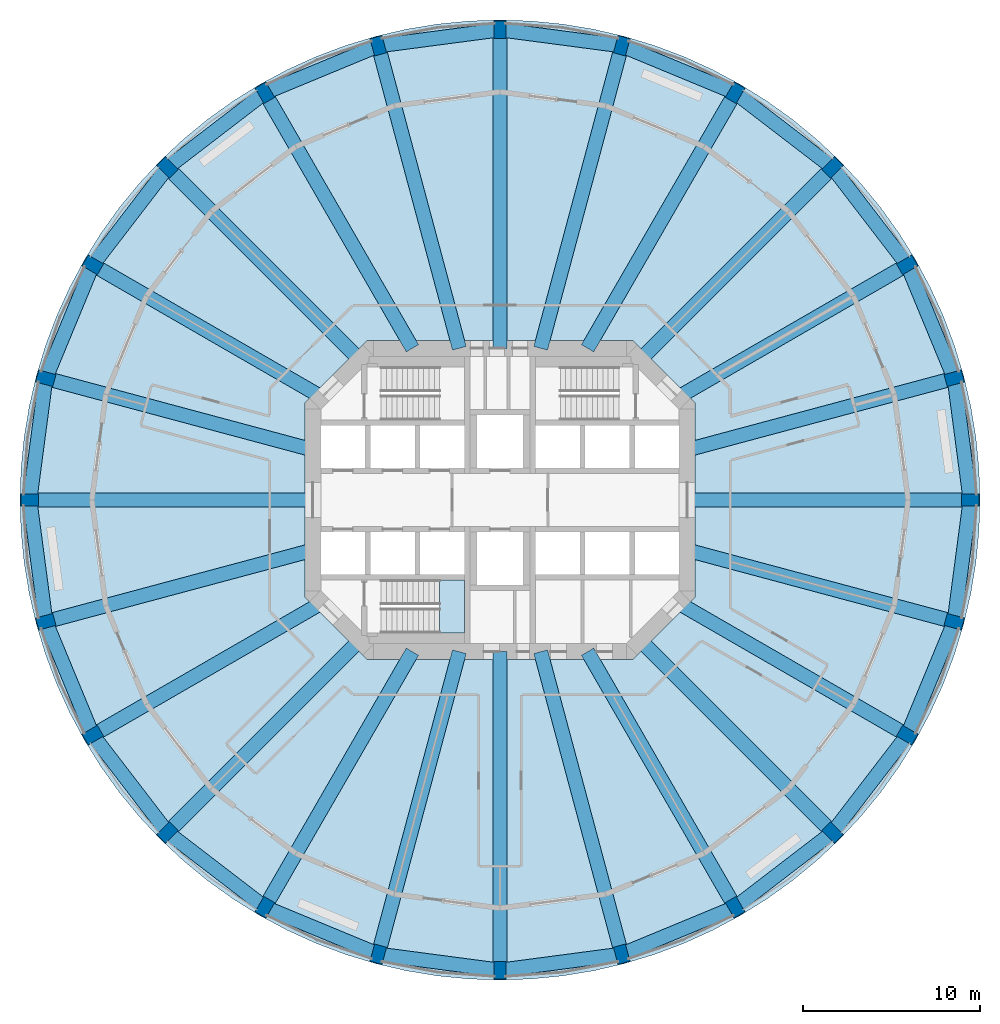
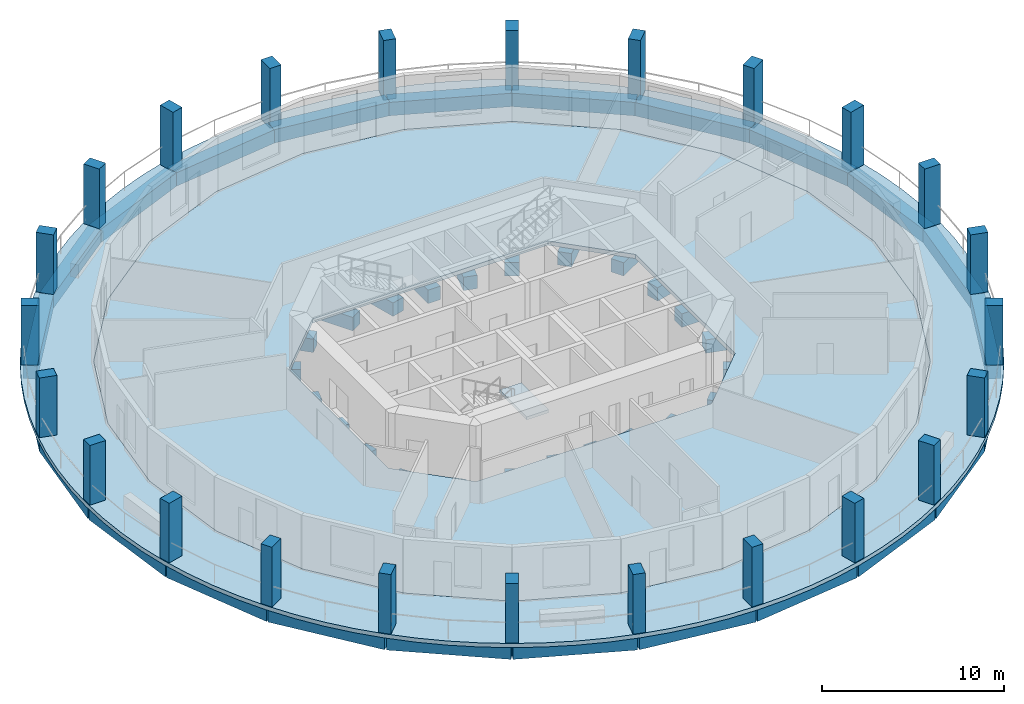
# One storey, part 1 of 9: 48 beams, 24 columns, 3 slabs, 1 element without a shape of its own.
"""IFC4 building model written with IfcOpenShell, lengths in metres."""

from ifc_helpers import new_model, si_unit, direction, frame, origin, origin_2d, place, context, subcontext, project, spatial, polyline, rectangle, outline, extrude, material, layer, layer_set, material_profile, profile_set, type_object, element, aggregate, save


model = new_model("IFC4")

# Units and contexts
model_context = context("Model", 3, precision=1e-05, world=origin(), true_north=direction((0.0, 1.0)))
body_context = subcontext(model_context, "Body", "Model", "MODEL_VIEW")
ifc_project = project(units=[si_unit("LENGTHUNIT", "METRE"), si_unit("AREAUNIT", "SQUARE_METRE"), si_unit("VOLUMEUNIT", "CUBIC_METRE"), si_unit("PLANEANGLEUNIT", "RADIAN"), si_unit("MASSUNIT", "GRAM", prefix="KILO")], contexts=[model_context])

# Site, building, storey
site_placement = place(None, origin())
site = spatial("IfcSite", under=ifc_project, at=site_placement, CompositionType="ELEMENT")
building_placement = place(site_placement, origin())
building = spatial("IfcBuilding", under=site, at=building_placement, Name="Torre Triforio", CompositionType="ELEMENT")
storey_placement = place(building_placement, frame((0.0, 0.0, 39.0)))
storey = spatial("IfcBuildingStorey", under=building, at=storey_placement, Name="L07", CompositionType="ELEMENT", Elevation=39.0)

# Columns
ifc_material_1 = material(Name="Concrete C70", Category="concrete")
ifc_material_profile_1 = material_profile(ifc_material_1, rectangle(XDim=0.699951171875, YDim=1.0, at=origin_2d()), Name="RC 700x1000")
ifc_profile_set_1 = profile_set([ifc_material_profile_1], Name="Concrete C70")
column_type = type_object("IfcColumnType", Name="Pier RC 700x1000 C70", PredefinedType="COLUMN", material=ifc_profile_set_1)
for number, where, z_axis, x_axis, name in (
    (1, (26.5, 0.0, 0.0), (0.0, 0.0, 1.0), (0.0, 1.0, 0.0), "COL.R.L07.00"),
    (2, (25.596923828125, 6.858642578125, 0.0), (0.0, 0.0, 1.0), (-0.258819045103, 0.965925826289, 0.0), "COL.R.L07.01"),
    (3, (22.94970703125, 13.25, 0.0), (0.0, 0.0, 1.0), (-0.5, 0.866025403784, 0.0), "COL.R.L07.02"),
    (4, (18.73828125, 18.73828125, 0.0), (0.0, 0.0, 1.0), (-0.707106781187, 0.707106781187, 0.0), "COL.R.L07.03"),
    (5, (13.25, 22.94970703125, 0.0), (0.0, 0.0, 1.0), (-0.866025403784, 0.5, 0.0), "COL.R.L07.04"),
    (6, (6.858642578125, 25.596923828125, 0.0), (0.0, 0.0, 1.0), (-0.965925826289, 0.258819045103, 0.0), "COL.R.L07.05"),
    (7, (0.0, 26.5, 0.0), (0.0, 0.0, 1.0), (-1.0, 0.0, 0.0), "COL.R.L07.06"),
    (8, (-6.858642578125, 25.596923828125, 0.0), (0.0, 0.0, 1.0), (-0.965925826289, -0.258819045103, 0.0), "COL.R.L07.07"),
    (9, (-13.25, 22.94970703125, 0.0), (0.0, 0.0, 1.0), (-0.866025403784, -0.5, 0.0), "COL.R.L07.08"),
    (10, (-18.73828125, 18.73828125, 0.0), (0.0, 0.0, 1.0), (-0.707106781187, -0.707106781187, 0.0), "COL.R.L07.09"),
    (11, (-22.94970703125, 13.25, 0.0), (0.0, 0.0, 1.0), (-0.5, -0.866025403784, 0.0), "COL.R.L07.10"),
    (12, (-25.596923828125, 6.858642578125, 0.0), (0.0, 0.0, 1.0), (-0.258819045103, -0.965925826289, 0.0), "COL.R.L07.11"),
    (13, (-26.5, 0.0, 0.0), (0.0, 0.0, 1.0), (0.0, -1.0, 0.0), "COL.R.L07.12"),
    (14, (-25.596923828125, -6.858642578125, 0.0), (0.0, 0.0, 1.0), (0.258819045103, -0.965925826289, 0.0), "COL.R.L07.13"),
    (15, (-22.94970703125, -13.25, 0.0), (0.0, 0.0, 1.0), (0.5, -0.866025403784, 0.0), "COL.R.L07.14"),
    (16, (-18.73828125, -18.73828125, 0.0), (0.0, 0.0, 1.0), (0.707106781187, -0.707106781187, 0.0), "COL.R.L07.15"),
    (17, (-13.25, -22.94970703125, 0.0), (0.0, 0.0, 1.0), (0.866025403784, -0.5, 0.0), "COL.R.L07.16"),
    (18, (-6.858642578125, -25.596923828125, 0.0), (0.0, 0.0, 1.0), (0.965925826289, -0.258819045103, 0.0), "COL.R.L07.17"),
    (19, (0.0, -26.5, 0.0), (0.0, 0.0, 1.0), (1.0, 0.0, 0.0), "COL.R.L07.18"),
    (20, (6.858642578125, -25.596923828125, 0.0), (0.0, 0.0, 1.0), (0.965925826289, 0.258819045103, 0.0), "COL.R.L07.19"),
    (21, (13.25, -22.94970703125, 0.0), (0.0, 0.0, 1.0), (0.866025403784, 0.5, 0.0), "COL.R.L07.20"),
    (22, (18.73828125, -18.73828125, 0.0), (0.0, 0.0, 1.0), (0.707106781187, 0.707106781187, 0.0), "COL.R.L07.21"),
    (23, (22.94970703125, -13.25, 0.0), (0.0, 0.0, 1.0), (0.5, 0.866025403784, 0.0), "COL.R.L07.22"),
    (24, (25.596923828125, -6.858642578125, 0.0), (0.0, 0.0, 1.0), (0.258819045103, 0.965925826289, 0.0), "COL.R.L07.23"),
):
    element("IfcColumn", number, at=place(storey_placement, frame(where, z_axis=z_axis, x_axis=x_axis)), inside=storey, type_object=column_type, Name=name, PredefinedType="COLUMN", context=body_context, shape_type="SweptSolid", body=[
        extrude(rectangle(XDim=0.699951171875, YDim=1.0, at=origin_2d()), origin(), (0.0, 0.0, 1.0), 4.0),
    ])

# Beams
ifc_material_2 = material(Name="Concrete C50", Category="concrete")
ifc_material_profile_2 = material_profile(ifc_material_2, rectangle(XDim=0.800048828125, YDim=0.89990234375, at=origin_2d()), Name="RC 800x900")
ifc_profile_set_2 = profile_set([ifc_material_profile_2], Name="Concrete C50")
beam_type_1 = type_object("IfcBeamType", Name="Radial beam RC 800x900 C50", PredefinedType="BEAM", material=ifc_profile_set_2)
beam_1_placement = place(storey_placement, frame((10.550048828125, 0.0, -0.72998046875), z_axis=(1.0, 0.0, 0.0), x_axis=(0.0, 1.0, 0.0)))
element("IfcBeam", 25, at=beam_1_placement, inside=storey, type_object=beam_type_1, Name="BM.R.L07.00", PredefinedType="BEAM", context=body_context, shape_type="SweptSolid", body=[
    extrude(rectangle(XDim=0.800048828125, YDim=0.89990234375, at=origin_2d()), origin(), (0.0, 0.0, 1.0), 15.949951171875),
])
beam_2_placement = place(storey_placement, frame((10.550048828125, 2.826904296875, -0.72998046875), z_axis=(0.965926784764, 0.258815467997, 0.0), x_axis=(-0.258815467997, 0.965926784764, 0.0)))
element("IfcBeam", 26, at=beam_2_placement, inside=storey, type_object=beam_type_1, Name="BM.R.L07.01", PredefinedType="BEAM", context=body_context, shape_type="SweptSolid", body=[
    extrude(rectangle(XDim=0.800048828125, YDim=0.89990234375, at=origin_2d()), origin(), (0.0, 0.0, 1.0), 15.57763671875),
])
beam_3_placement = place(storey_placement, frame((10.039794921875, 5.796630859375, -0.72998046875), z_axis=(0.866030402573, 0.499991341745, 0.0), x_axis=(-0.499991341745, 0.866030402573, 0.0)))
element("IfcBeam", 27, at=beam_3_placement, inside=storey, type_object=beam_type_1, Name="BM.R.L07.02", PredefinedType="BEAM", context=body_context, shape_type="SweptSolid", body=[
    extrude(rectangle(XDim=0.800048828125, YDim=0.89990234375, at=origin_2d()), origin(), (0.0, 0.0, 1.0), 14.906982421875),
])
beam_4_placement = place(storey_placement, frame((7.918212890625, 7.918212890625, -0.72998046875), z_axis=(0.707106781187, 0.707106781187, 0.0), x_axis=(-0.707106781187, 0.707106781187, 0.0)))
element("IfcBeam", 28, at=beam_4_placement, inside=storey, type_object=beam_type_1, Name="BM.R.L07.03", PredefinedType="BEAM", context=body_context, shape_type="SweptSolid", body=[
    extrude(rectangle(XDim=0.800048828125, YDim=0.89990234375, at=origin_2d()), origin(), (0.0, 0.0, 1.0), 15.302001953125),
])
beam_5_placement = place(storey_placement, frame((4.936279296875, 8.550048828125, -0.72998046875), z_axis=(0.500003345241, 0.8660234724, 0.0), x_axis=(-0.8660234724, 0.500003345241, 0.0)))
element("IfcBeam", 29, at=beam_5_placement, inside=storey, type_object=beam_type_1, Name="BM.R.L07.04", PredefinedType="BEAM", context=body_context, shape_type="SweptSolid", body=[
    extrude(rectangle(XDim=0.800048828125, YDim=0.89990234375, at=origin_2d()), origin(), (0.0, 0.0, 1.0), 16.62744140625),
])
beam_6_placement = place(storey_placement, frame((2.291015625, 8.550048828125, -0.72998046875), z_axis=(0.258815374176, 0.965926809903, 0.0), x_axis=(-0.965926809903, 0.258815374176, 0.0)))
element("IfcBeam", 30, at=beam_6_placement, inside=storey, type_object=beam_type_1, Name="BM.R.L07.05", PredefinedType="BEAM", context=body_context, shape_type="SweptSolid", body=[
    extrude(rectangle(XDim=0.800048828125, YDim=0.89990234375, at=origin_2d()), origin(), (0.0, 0.0, 1.0), 17.648193359375),
])
beam_7_placement = place(storey_placement, frame((0.0, 8.550048828125, -0.72998046875), z_axis=(0.0, 1.0, 0.0), x_axis=(-1.0, 0.0, 0.0)))
element("IfcBeam", 31, at=beam_7_placement, inside=storey, type_object=beam_type_1, Name="BM.R.L07.06", PredefinedType="BEAM", context=body_context, shape_type="SweptSolid", body=[
    extrude(rectangle(XDim=0.800048828125, YDim=0.89990234375, at=origin_2d()), origin(), (0.0, 0.0, 1.0), 17.949951171875),
])
beam_8_placement = place(storey_placement, frame((-2.291015625, 8.550048828125, -0.72998046875), z_axis=(-0.258815374176, 0.965926809903, 0.0), x_axis=(-0.965926809903, -0.258815374176, 0.0)))
element("IfcBeam", 32, at=beam_8_placement, inside=storey, type_object=beam_type_1, Name="BM.R.L07.07", PredefinedType="BEAM", context=body_context, shape_type="SweptSolid", body=[
    extrude(rectangle(XDim=0.800048828125, YDim=0.89990234375, at=origin_2d()), origin(), (0.0, 0.0, 1.0), 17.648193359375),
])
beam_9_placement = place(storey_placement, frame((-4.936279296875, 8.550048828125, -0.72998046875), z_axis=(-0.500003345241, 0.8660234724, 0.0), x_axis=(-0.8660234724, -0.500003345241, 0.0)))
element("IfcBeam", 33, at=beam_9_placement, inside=storey, type_object=beam_type_1, Name="BM.R.L07.08", PredefinedType="BEAM", context=body_context, shape_type="SweptSolid", body=[
    extrude(rectangle(XDim=0.800048828125, YDim=0.89990234375, at=origin_2d()), origin(), (0.0, 0.0, 1.0), 16.62744140625),
])
beam_10_placement = place(storey_placement, frame((-7.918212890625, 7.918212890625, -0.72998046875), z_axis=(-0.707106781187, 0.707106781187, 0.0), x_axis=(-0.707106781187, -0.707106781187, 0.0)))
element("IfcBeam", 34, at=beam_10_placement, inside=storey, type_object=beam_type_1, Name="BM.R.L07.09", PredefinedType="BEAM", context=body_context, shape_type="SweptSolid", body=[
    extrude(rectangle(XDim=0.800048828125, YDim=0.89990234375, at=origin_2d()), origin(), (0.0, 0.0, 1.0), 15.302001953125),
])
beam_11_placement = place(storey_placement, frame((-10.039794921875, 5.796630859375, -0.72998046875), z_axis=(-0.866030402573, 0.499991341745, 0.0), x_axis=(-0.499991341745, -0.866030402573, 0.0)))
element("IfcBeam", 35, at=beam_11_placement, inside=storey, type_object=beam_type_1, Name="BM.R.L07.10", PredefinedType="BEAM", context=body_context, shape_type="SweptSolid", body=[
    extrude(rectangle(XDim=0.800048828125, YDim=0.89990234375, at=origin_2d()), origin(), (0.0, 0.0, 1.0), 14.906982421875),
])
beam_12_placement = place(storey_placement, frame((-10.550048828125, 2.826904296875, -0.72998046875), z_axis=(-0.965926784764, 0.258815467997, 0.0), x_axis=(-0.258815467997, -0.965926784764, 0.0)))
element("IfcBeam", 36, at=beam_12_placement, inside=storey, type_object=beam_type_1, Name="BM.R.L07.11", PredefinedType="BEAM", context=body_context, shape_type="SweptSolid", body=[
    extrude(rectangle(XDim=0.800048828125, YDim=0.89990234375, at=origin_2d()), origin(), (0.0, 0.0, 1.0), 15.57763671875),
])
beam_13_placement = place(storey_placement, frame((-10.550048828125, 0.0, -0.72998046875), z_axis=(-1.0, 0.0, 0.0), x_axis=(0.0, -1.0, 0.0)))
element("IfcBeam", 37, at=beam_13_placement, inside=storey, type_object=beam_type_1, Name="BM.R.L07.12", PredefinedType="BEAM", context=body_context, shape_type="SweptSolid", body=[
    extrude(rectangle(XDim=0.800048828125, YDim=0.89990234375, at=origin_2d()), origin(), (0.0, 0.0, 1.0), 15.949951171875),
])
beam_14_placement = place(storey_placement, frame((-10.550048828125, -2.826904296875, -0.72998046875), z_axis=(-0.965926784764, -0.258815467997, 0.0), x_axis=(0.258815467997, -0.965926784764, 0.0)))
element("IfcBeam", 38, at=beam_14_placement, inside=storey, type_object=beam_type_1, Name="BM.R.L07.13", PredefinedType="BEAM", context=body_context, shape_type="SweptSolid", body=[
    extrude(rectangle(XDim=0.800048828125, YDim=0.89990234375, at=origin_2d()), origin(), (0.0, 0.0, 1.0), 15.57763671875),
])
beam_15_placement = place(storey_placement, frame((-10.039794921875, -5.796630859375, -0.72998046875), z_axis=(-0.866030402573, -0.499991341745, 0.0), x_axis=(0.499991341745, -0.866030402573, 0.0)))
element("IfcBeam", 39, at=beam_15_placement, inside=storey, type_object=beam_type_1, Name="BM.R.L07.14", PredefinedType="BEAM", context=body_context, shape_type="SweptSolid", body=[
    extrude(rectangle(XDim=0.800048828125, YDim=0.89990234375, at=origin_2d()), origin(), (0.0, 0.0, 1.0), 14.906982421875),
])
beam_16_placement = place(storey_placement, frame((-7.918212890625, -7.918212890625, -0.72998046875), z_axis=(-0.707106781187, -0.707106781187, 0.0), x_axis=(0.707106781187, -0.707106781187, 0.0)))
element("IfcBeam", 40, at=beam_16_placement, inside=storey, type_object=beam_type_1, Name="BM.R.L07.15", PredefinedType="BEAM", context=body_context, shape_type="SweptSolid", body=[
    extrude(rectangle(XDim=0.800048828125, YDim=0.89990234375, at=origin_2d()), origin(), (0.0, 0.0, 1.0), 15.302001953125),
])
beam_17_placement = place(storey_placement, frame((-4.936279296875, -8.550048828125, -0.72998046875), z_axis=(-0.500003345241, -0.8660234724, 0.0), x_axis=(0.8660234724, -0.500003345241, 0.0)))
element("IfcBeam", 41, at=beam_17_placement, inside=storey, type_object=beam_type_1, Name="BM.R.L07.16", PredefinedType="BEAM", context=body_context, shape_type="SweptSolid", body=[
    extrude(rectangle(XDim=0.800048828125, YDim=0.89990234375, at=origin_2d()), origin(), (0.0, 0.0, 1.0), 16.62744140625),
])
beam_18_placement = place(storey_placement, frame((-2.291015625, -8.550048828125, -0.72998046875), z_axis=(-0.258815374176, -0.965926809903, 0.0), x_axis=(0.965926809903, -0.258815374176, 0.0)))
element("IfcBeam", 42, at=beam_18_placement, inside=storey, type_object=beam_type_1, Name="BM.R.L07.17", PredefinedType="BEAM", context=body_context, shape_type="SweptSolid", body=[
    extrude(rectangle(XDim=0.800048828125, YDim=0.89990234375, at=origin_2d()), origin(), (0.0, 0.0, 1.0), 17.648193359375),
])
beam_19_placement = place(storey_placement, frame((0.0, -8.550048828125, -0.72998046875), z_axis=(0.0, -1.0, 0.0), x_axis=(1.0, 0.0, 0.0)))
element("IfcBeam", 43, at=beam_19_placement, inside=storey, type_object=beam_type_1, Name="BM.R.L07.18", PredefinedType="BEAM", context=body_context, shape_type="SweptSolid", body=[
    extrude(rectangle(XDim=0.800048828125, YDim=0.89990234375, at=origin_2d()), origin(), (0.0, 0.0, 1.0), 17.949951171875),
])
beam_20_placement = place(storey_placement, frame((2.291015625, -8.550048828125, -0.72998046875), z_axis=(0.258815374176, -0.965926809903, 0.0), x_axis=(0.965926809903, 0.258815374176, 0.0)))
element("IfcBeam", 44, at=beam_20_placement, inside=storey, type_object=beam_type_1, Name="BM.R.L07.19", PredefinedType="BEAM", context=body_context, shape_type="SweptSolid", body=[
    extrude(rectangle(XDim=0.800048828125, YDim=0.89990234375, at=origin_2d()), origin(), (0.0, 0.0, 1.0), 17.648193359375),
])
beam_21_placement = place(storey_placement, frame((4.936279296875, -8.550048828125, -0.72998046875), z_axis=(0.500003345241, -0.8660234724, 0.0), x_axis=(0.8660234724, 0.500003345241, 0.0)))
element("IfcBeam", 45, at=beam_21_placement, inside=storey, type_object=beam_type_1, Name="BM.R.L07.20", PredefinedType="BEAM", context=body_context, shape_type="SweptSolid", body=[
    extrude(rectangle(XDim=0.800048828125, YDim=0.89990234375, at=origin_2d()), origin(), (0.0, 0.0, 1.0), 16.62744140625),
])
beam_22_placement = place(storey_placement, frame((7.918212890625, -7.918212890625, -0.72998046875), z_axis=(0.707106781187, -0.707106781187, 0.0), x_axis=(0.707106781187, 0.707106781187, 0.0)))
element("IfcBeam", 46, at=beam_22_placement, inside=storey, type_object=beam_type_1, Name="BM.R.L07.21", PredefinedType="BEAM", context=body_context, shape_type="SweptSolid", body=[
    extrude(rectangle(XDim=0.800048828125, YDim=0.89990234375, at=origin_2d()), origin(), (0.0, 0.0, 1.0), 15.302001953125),
])
beam_23_placement = place(storey_placement, frame((10.039794921875, -5.796630859375, -0.72998046875), z_axis=(0.866030402573, -0.499991341745, 0.0), x_axis=(0.499991341745, 0.866030402573, 0.0)))
element("IfcBeam", 47, at=beam_23_placement, inside=storey, type_object=beam_type_1, Name="BM.R.L07.22", PredefinedType="BEAM", context=body_context, shape_type="SweptSolid", body=[
    extrude(rectangle(XDim=0.800048828125, YDim=0.89990234375, at=origin_2d()), origin(), (0.0, 0.0, 1.0), 14.906982421875),
])
beam_24_placement = place(storey_placement, frame((10.550048828125, -2.826904296875, -0.72998046875), z_axis=(0.965926784764, -0.258815467997, 0.0), x_axis=(0.258815467997, 0.965926784764, 0.0)))
element("IfcBeam", 48, at=beam_24_placement, inside=storey, type_object=beam_type_1, Name="BM.R.L07.23", PredefinedType="BEAM", context=body_context, shape_type="SweptSolid", body=[
    extrude(rectangle(XDim=0.800048828125, YDim=0.89990234375, at=origin_2d()), origin(), (0.0, 0.0, 1.0), 15.57763671875),
])
ifc_material_profile_3 = material_profile(ifc_material_2, rectangle(XDim=0.800048828125, YDim=0.89990234375, at=origin_2d()), Name="RC 800x900")
ifc_profile_set_3 = profile_set([ifc_material_profile_3], Name="Concrete C50")
beam_type_2 = type_object("IfcBeamType", Name="Spandrel beam RC 800x900 C50", PredefinedType="SPANDREL", material=ifc_profile_set_3)
beam_25_placement = place(storey_placement, frame((26.5, 0.0, -0.72998046875), z_axis=(-0.130543064996, 0.991442639885, 0.0), x_axis=(-0.991442639885, -0.130543064996, 0.0)))
element("IfcBeam", 49, at=beam_25_placement, inside=storey, type_object=beam_type_2, Name="BM.S.L07.00", PredefinedType="SPANDREL", context=body_context, shape_type="SweptSolid", body=[
    extrude(rectangle(XDim=0.800048828125, YDim=0.89990234375, at=origin_2d()), origin(), (0.0, 0.0, 1.0), 6.917724609375),
])
for number, where, z_axis, x_axis, name in (
    (50, (25.596923828125, 6.858642578125, -0.72998046875), (-0.382662441128, 0.923888227087, 0.0), (-0.923888227087, -0.382662441128, 0.0), "BM.S.L07.01"),
    (51, (22.94970703125, 13.25, -0.72998046875), (-0.608772297796, 0.793345000259, 0.0), (-0.793345000259, -0.608772297796, 0.0), "BM.S.L07.02"),
    (52, (18.73828125, 18.73828125, -0.72998046875), (-0.793345000259, 0.608772297796, 0.0), (-0.608772297796, -0.793345000259, 0.0), "BM.S.L07.03"),
    (53, (13.25, 22.94970703125, -0.72998046875), (-0.923888227087, 0.382662441128, 0.0), (-0.382662441128, -0.923888227087, 0.0), "BM.S.L07.04"),
):
    element("IfcBeam", number, at=place(storey_placement, frame(where, z_axis=z_axis, x_axis=x_axis)), inside=storey, type_object=beam_type_2, Name=name, PredefinedType="SPANDREL", context=body_context, shape_type="SweptSolid", body=[
        extrude(rectangle(XDim=0.800048828125, YDim=0.89990234375, at=origin_2d()), origin(), (0.0, 0.0, 1.0), 6.91796875),
    ])
for number, where, z_axis, x_axis, name in (
    (54, (6.858642578125, 25.596923828125, -0.72998046875), (-0.991442639885, 0.130543064996, 0.0), (-0.130543064996, -0.991442639885, 0.0), "BM.S.L07.05"),
    (55, (0.0, 26.5, -0.72998046875), (-0.991442639885, -0.130543064996, 0.0), (0.130543064996, -0.991442639885, 0.0), "BM.S.L07.06"),
):
    element("IfcBeam", number, at=place(storey_placement, frame(where, z_axis=z_axis, x_axis=x_axis)), inside=storey, type_object=beam_type_2, Name=name, PredefinedType="SPANDREL", context=body_context, shape_type="SweptSolid", body=[
        extrude(rectangle(XDim=0.800048828125, YDim=0.89990234375, at=origin_2d()), origin(), (0.0, 0.0, 1.0), 6.917724609375),
    ])
for number, where, z_axis, x_axis, name in (
    (56, (-6.858642578125, 25.596923828125, -0.72998046875), (-0.923888227087, -0.382662441128, 0.0), (0.382662441128, -0.923888227087, 0.0), "BM.S.L07.07"),
    (57, (-13.25, 22.94970703125, -0.72998046875), (-0.793345000259, -0.608772297796, 0.0), (0.608772297796, -0.793345000259, 0.0), "BM.S.L07.08"),
    (58, (-18.73828125, 18.73828125, -0.72998046875), (-0.608772297796, -0.793345000259, 0.0), (0.793345000259, -0.608772297796, 0.0), "BM.S.L07.09"),
    (59, (-22.94970703125, 13.25, -0.72998046875), (-0.382662441128, -0.923888227087, 0.0), (0.923888227087, -0.382662441128, 0.0), "BM.S.L07.10"),
):
    element("IfcBeam", number, at=place(storey_placement, frame(where, z_axis=z_axis, x_axis=x_axis)), inside=storey, type_object=beam_type_2, Name=name, PredefinedType="SPANDREL", context=body_context, shape_type="SweptSolid", body=[
        extrude(rectangle(XDim=0.800048828125, YDim=0.89990234375, at=origin_2d()), origin(), (0.0, 0.0, 1.0), 6.91796875),
    ])
for number, where, z_axis, x_axis, name in (
    (60, (-25.596923828125, 6.858642578125, -0.72998046875), (-0.130543064996, -0.991442639885, 0.0), (0.991442639885, -0.130543064996, 0.0), "BM.S.L07.11"),
    (61, (-26.5, 0.0, -0.72998046875), (0.130543064996, -0.991442639885, 0.0), (0.991442639885, 0.130543064996, 0.0), "BM.S.L07.12"),
):
    element("IfcBeam", number, at=place(storey_placement, frame(where, z_axis=z_axis, x_axis=x_axis)), inside=storey, type_object=beam_type_2, Name=name, PredefinedType="SPANDREL", context=body_context, shape_type="SweptSolid", body=[
        extrude(rectangle(XDim=0.800048828125, YDim=0.89990234375, at=origin_2d()), origin(), (0.0, 0.0, 1.0), 6.917724609375),
    ])
for number, where, z_axis, x_axis, name in (
    (62, (-25.596923828125, -6.858642578125, -0.72998046875), (0.382662441128, -0.923888227087, 0.0), (0.923888227087, 0.382662441128, 0.0), "BM.S.L07.13"),
    (63, (-22.94970703125, -13.25, -0.72998046875), (0.608772297796, -0.793345000259, 0.0), (0.793345000259, 0.608772297796, 0.0), "BM.S.L07.14"),
    (64, (-18.73828125, -18.73828125, -0.72998046875), (0.793345000259, -0.608772297796, 0.0), (0.608772297796, 0.793345000259, 0.0), "BM.S.L07.15"),
    (65, (-13.25, -22.94970703125, -0.72998046875), (0.923888227087, -0.382662441128, 0.0), (0.382662441128, 0.923888227087, 0.0), "BM.S.L07.16"),
):
    element("IfcBeam", number, at=place(storey_placement, frame(where, z_axis=z_axis, x_axis=x_axis)), inside=storey, type_object=beam_type_2, Name=name, PredefinedType="SPANDREL", context=body_context, shape_type="SweptSolid", body=[
        extrude(rectangle(XDim=0.800048828125, YDim=0.89990234375, at=origin_2d()), origin(), (0.0, 0.0, 1.0), 6.91796875),
    ])
for number, where, z_axis, x_axis, name in (
    (66, (-6.858642578125, -25.596923828125, -0.72998046875), (0.991442639885, -0.130543064996, 0.0), (0.130543064996, 0.991442639885, 0.0), "BM.S.L07.17"),
    (67, (0.0, -26.5, -0.72998046875), (0.991442639885, 0.130543064996, 0.0), (-0.130543064996, 0.991442639885, 0.0), "BM.S.L07.18"),
):
    element("IfcBeam", number, at=place(storey_placement, frame(where, z_axis=z_axis, x_axis=x_axis)), inside=storey, type_object=beam_type_2, Name=name, PredefinedType="SPANDREL", context=body_context, shape_type="SweptSolid", body=[
        extrude(rectangle(XDim=0.800048828125, YDim=0.89990234375, at=origin_2d()), origin(), (0.0, 0.0, 1.0), 6.917724609375),
    ])
for number, where, z_axis, x_axis, name in (
    (68, (6.858642578125, -25.596923828125, -0.72998046875), (0.923888227087, 0.382662441128, 0.0), (-0.382662441128, 0.923888227087, 0.0), "BM.S.L07.19"),
    (69, (13.25, -22.94970703125, -0.72998046875), (0.793345000259, 0.608772297796, 0.0), (-0.608772297796, 0.793345000259, 0.0), "BM.S.L07.20"),
    (70, (18.73828125, -18.73828125, -0.72998046875), (0.608772297796, 0.793345000259, 0.0), (-0.793345000259, 0.608772297796, 0.0), "BM.S.L07.21"),
    (71, (22.94970703125, -13.25, -0.72998046875), (0.382662441128, 0.923888227087, 0.0), (-0.923888227087, 0.382662441128, 0.0), "BM.S.L07.22"),
):
    element("IfcBeam", number, at=place(storey_placement, frame(where, z_axis=z_axis, x_axis=x_axis)), inside=storey, type_object=beam_type_2, Name=name, PredefinedType="SPANDREL", context=body_context, shape_type="SweptSolid", body=[
        extrude(rectangle(XDim=0.800048828125, YDim=0.89990234375, at=origin_2d()), origin(), (0.0, 0.0, 1.0), 6.91796875),
    ])
beam_26_placement = place(storey_placement, frame((25.596923828125, -6.858642578125, -0.72998046875), z_axis=(0.130543064996, 0.991442639885, 0.0), x_axis=(-0.991442639885, 0.130543064996, 0.0)))
element("IfcBeam", 72, at=beam_26_placement, inside=storey, type_object=beam_type_2, Name="BM.S.L07.23", PredefinedType="SPANDREL", context=body_context, shape_type="SweptSolid", body=[
    extrude(rectangle(XDim=0.800048828125, YDim=0.89990234375, at=origin_2d()), origin(), (0.0, 0.0, 1.0), 6.917724609375),
])

# Slabs
ifc_layer_1 = layer(ifc_material_2, 0.280029296875)
ifc_layer_set_1 = layer_set([ifc_layer_1], Name="Concrete C50")
slab_type_1 = type_object("IfcSlabType", Name="Floor slab 280 C50", PredefinedType="FLOOR", material=ifc_layer_set_1)
slab_1_placement = place(storey_placement, frame((0.0, 0.0, -0.280029296875)))
element("IfcSlab", 73, at=slab_1_placement, inside=storey, type_object=slab_type_1, Name="SL.L07", PredefinedType="FLOOR", context=body_context, shape_type="SweptSolid", body=[
    extrude(outline(polyline([(19.918701171875, -11.5), (22.21630859375, -5.952880859375), (23.0, 0.0), (22.21630859375, 5.952880859375), (19.918701171875, 11.5), (16.263427734375, 16.263427734375), (11.5, 19.918701171875), (5.952880859375, 22.21630859375), (0.0, 23.0), (-5.952880859375, 22.21630859375), (-11.5, 19.918701171875), (-16.263427734375, 16.263427734375), (-19.918701171875, 11.5), (-22.21630859375, 5.952880859375), (-23.0, 0.0), (-22.21630859375, -5.952880859375), (-19.918701171875, -11.5), (-16.263427734375, -16.263427734375), (-11.5, -19.918701171875), (-5.952880859375, -22.21630859375), (0.0, -23.0), (5.952880859375, -22.21630859375), (11.5, -19.918701171875), (16.263427734375, -16.263427734375), (19.918701171875, -11.5)]), holes=[polyline([(11.0, 5.472900390625), (11.0, -5.472900390625), (7.472900390625, -9.0), (-7.472900390625, -9.0), (-11.0, -5.472900390625), (-11.0, 5.472900390625), (-7.472900390625, 9.0), (7.472900390625, 9.0), (11.0, 5.472900390625)])]), origin(), (0.0, 0.0, 1.0), 0.280029296875),
])
ifc_layer_2 = layer(ifc_material_2, 0.280029296875)
ifc_layer_set_2 = layer_set([ifc_layer_2], Name="Concrete C50")
slab_type_2 = type_object("IfcSlabType", Name="Loggia slab 280 C50", PredefinedType="FLOOR", material=ifc_layer_set_2)
slab_2_placement = place(storey_placement, frame((0.0, 0.0, -0.280029296875)))
element("IfcSlab", 74, at=slab_2_placement, inside=storey, type_object=slab_type_2, Name="SL.L07.LG", PredefinedType="FLOOR", context=body_context, shape_type="SweptSolid", body=[
    extrude(outline(polyline([(26.9921875, -1.76904296875), (27.050048828125, 0.0), (26.9921875, 1.76904296875), (26.818603515625, 3.53076171875), (26.5302734375, 5.277099609375), (26.128173828125, 7.0009765625), (25.614501953125, 8.69482421875), (24.990966796875, 10.3515625), (24.260498046875, 11.9638671875), (23.426025390625, 13.52490234375), (22.4912109375, 15.028076171875), (21.460205078125, 16.467041015625), (20.337158203125, 17.835205078125), (19.127197265625, 19.127197265625), (17.835205078125, 20.337158203125), (16.467041015625, 21.460205078125), (15.028076171875, 22.4912109375), (13.52490234375, 23.426025390625), (11.9638671875, 24.260498046875), (10.3515625, 24.990966796875), (8.69482421875, 25.614501953125), (7.0009765625, 26.128173828125), (5.277099609375, 26.5302734375), (3.53076171875, 26.818603515625), (1.76904296875, 26.9921875), (0.0, 27.050048828125), (-1.76904296875, 26.9921875), (-3.53076171875, 26.818603515625), (-5.277099609375, 26.5302734375), (-7.0009765625, 26.128173828125), (-8.69482421875, 25.614501953125), (-10.3515625, 24.990966796875), (-11.9638671875, 24.260498046875), (-13.52490234375, 23.426025390625), (-15.028076171875, 22.4912109375), (-16.467041015625, 21.460205078125), (-17.835205078125, 20.337158203125), (-19.127197265625, 19.127197265625), (-20.337158203125, 17.835205078125), (-21.460205078125, 16.467041015625), (-22.4912109375, 15.028076171875), (-23.426025390625, 13.52490234375), (-24.260498046875, 11.9638671875), (-24.990966796875, 10.3515625), (-25.614501953125, 8.69482421875), (-26.128173828125, 7.0009765625), (-26.5302734375, 5.277099609375), (-26.818603515625, 3.53076171875), (-26.9921875, 1.76904296875), (-27.050048828125, 0.0), (-26.9921875, -1.76904296875), (-26.818603515625, -3.53076171875), (-26.5302734375, -5.277099609375), (-26.128173828125, -7.0009765625), (-25.614501953125, -8.69482421875), (-24.990966796875, -10.3515625), (-24.260498046875, -11.9638671875), (-23.426025390625, -13.52490234375), (-22.4912109375, -15.028076171875), (-21.460205078125, -16.467041015625), (-20.337158203125, -17.835205078125), (-19.127197265625, -19.127197265625), (-17.835205078125, -20.337158203125), (-16.467041015625, -21.460205078125), (-15.028076171875, -22.4912109375), (-13.52490234375, -23.426025390625), (-11.9638671875, -24.260498046875), (-10.3515625, -24.990966796875), (-8.69482421875, -25.614501953125), (-7.0009765625, -26.128173828125), (-5.277099609375, -26.5302734375), (-3.53076171875, -26.818603515625), (-1.76904296875, -26.9921875), (0.0, -27.050048828125), (1.76904296875, -26.9921875), (3.53076171875, -26.818603515625), (5.277099609375, -26.5302734375), (7.0009765625, -26.128173828125), (8.69482421875, -25.614501953125), (10.3515625, -24.990966796875), (11.9638671875, -24.260498046875), (13.52490234375, -23.426025390625), (15.028076171875, -22.4912109375), (16.467041015625, -21.460205078125), (17.835205078125, -20.337158203125), (19.127197265625, -19.127197265625), (20.337158203125, -17.835205078125), (21.460205078125, -16.467041015625), (22.4912109375, -15.028076171875), (23.426025390625, -13.52490234375), (24.260498046875, -11.9638671875), (24.990966796875, -10.3515625), (25.614501953125, -8.69482421875), (26.128173828125, -7.0009765625), (26.5302734375, -5.277099609375), (26.818603515625, -3.53076171875), (26.9921875, -1.76904296875)]), holes=[polyline([(22.21630859375, 5.952880859375), (23.0, 0.0), (22.21630859375, -5.952880859375), (19.918701171875, -11.5), (16.263427734375, -16.263427734375), (11.5, -19.918701171875), (5.952880859375, -22.21630859375), (0.0, -23.0), (-5.952880859375, -22.21630859375), (-11.5, -19.918701171875), (-16.263427734375, -16.263427734375), (-19.918701171875, -11.5), (-22.21630859375, -5.952880859375), (-23.0, 0.0), (-22.21630859375, 5.952880859375), (-19.918701171875, 11.5), (-16.263427734375, 16.263427734375), (-11.5, 19.918701171875), (-5.952880859375, 22.21630859375), (0.0, 23.0), (5.952880859375, 22.21630859375), (11.5, 19.918701171875), (16.263427734375, 16.263427734375), (19.918701171875, 11.5), (22.21630859375, 5.952880859375)])]), origin(), (0.0, 0.0, 1.0), 0.280029296875),
])

# Stair, slab
ifc_material_3 = material(Name="Concrete C40", Category="concrete")
stair_type = type_object("IfcStairType", Name="STAIR HALF-TURN", PredefinedType="HALF_TURN_STAIR", material=ifc_material_3)
stair_placement = place(storey_placement, origin())
stair = element("IfcStair", 75, at=stair_placement, inside=storey, type_object=stair_type, Name="Exit stair 3", PredefinedType="HALF_TURN_STAIR")
ifc_layer_3 = layer(ifc_material_3, 0.199951171875)
ifc_layer_set_3 = layer_set([ifc_layer_3], Name="Concrete C40")
slab_type_3 = type_object("IfcSlabType", Name="STAIR LANDING 200", PredefinedType="LANDING", material=ifc_layer_set_3)
slab_3_placement = place(storey_placement, frame((0.0, 0.0, 1.800048828125)))
slab_3 = element("IfcSlab", 76, at=slab_3_placement, type_object=slab_type_3, Name="ST3 landing 1", PredefinedType="LANDING", context=body_context, shape_type="SweptSolid", body=[
    extrude(outline(polyline([(-2.0, -7.5), (-2.0, -4.5), (-3.39990234375, -4.5), (-3.39990234375, -7.5), (-2.0, -7.5)])), origin(), (0.0, 0.0, 1.0), 0.199951171875),
])
aggregate(stair, [slab_3])

save(model, "model.ifc")
